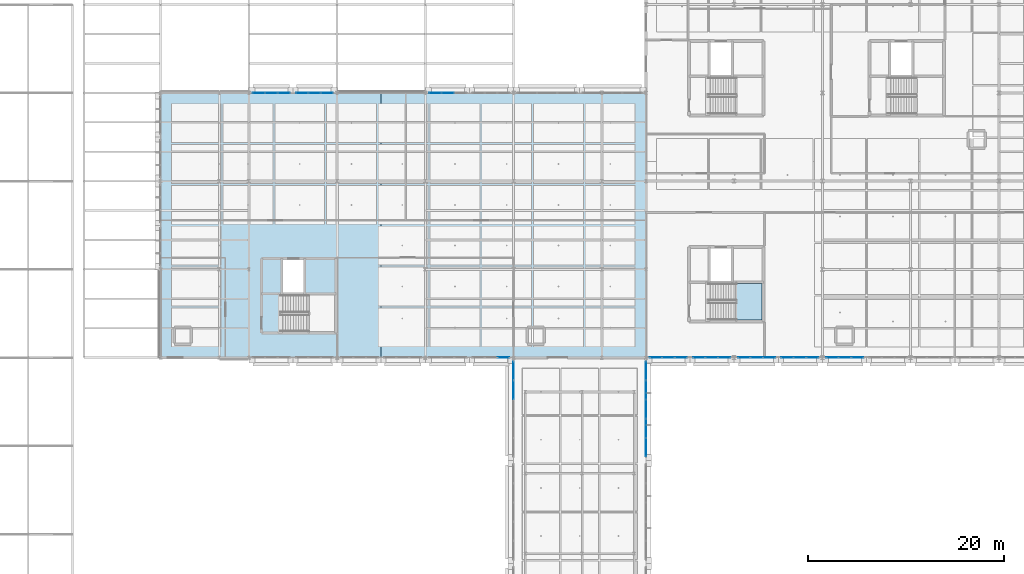
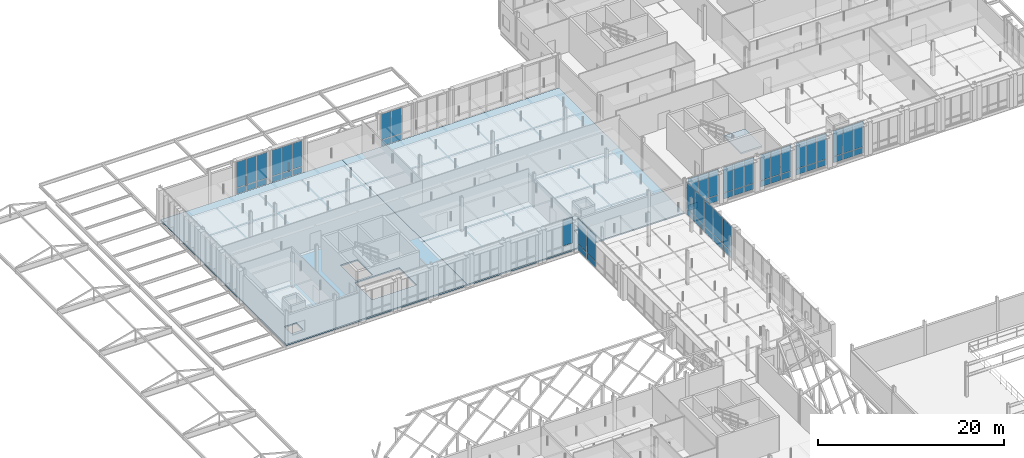
# One storey, part 75 of 140: 61 plates, 3 slabs, 12 elements without a shape of their own.
"""IFC4 building model written with IfcOpenShell, lengths in metres."""

from ifc_helpers import new_model, si_unit, direction, frame, origin, origin_2d, place, context, subcontext, project, spatial, polyline, rectangle, outline, extrude, material, layer, layer_set, type_object, element, aggregate, save


model = new_model("IFC4")

# Units and contexts
model_context = context("Model", 3, precision=1e-05, world=origin(), true_north=direction((0.0, 1.0)))
body_context = subcontext(model_context, "Body", "Model", "MODEL_VIEW")
ifc_project = project(units=[si_unit("LENGTHUNIT", "METRE"), si_unit("AREAUNIT", "SQUARE_METRE"), si_unit("VOLUMEUNIT", "CUBIC_METRE"), si_unit("PLANEANGLEUNIT", "RADIAN"), si_unit("MASSUNIT", "GRAM", prefix="KILO"), si_unit("THERMODYNAMICTEMPERATUREUNIT", "KELVIN"), si_unit("POWERUNIT", "WATT")], contexts=[model_context])

# Site, building, storey
site_placement = place(None, origin())
site = spatial("IfcSite", under=ifc_project, at=site_placement, CompositionType="ELEMENT")
building_placement = place(site_placement, origin())
building = spatial("IfcBuilding", under=site, at=building_placement, Name="Tallowbark Science Centre", CompositionType="ELEMENT")
storey_placement = place(building_placement, frame((0.0, 0.0, 9.89990234375)))
storey = spatial("IfcBuildingStorey", under=building, at=storey_placement, Name="L02", CompositionType="ELEMENT", Elevation=9.89990234375)

# Curtain wall, plates
ifc_material_1 = material(Name="Unitised Thermally Broken Aluminium and Low-E Double Glazing", Category="aluminium")
curtain_wall_type = type_object("IfcCurtainWallType", Name="CW-SYS-FACADE", PredefinedType="NOTDEFINED", material=ifc_material_1)
curtain_wall_1_placement = place(storey_placement, origin())
curtain_wall_1 = element("IfcCurtainWall", 1, at=curtain_wall_1_placement, inside=storey, type_object=curtain_wall_type, Name="Unitised Curtain Wall LNK-W-2 CW-L02-020", PredefinedType="NOTDEFINED")
ifc_material_2 = material(Name="Double Glazed Argon Low-E Vision Glass", Category="glass")
ifc_layer_1 = layer(ifc_material_2, 0.028076171875)
ifc_layer_set_1 = layer_set([ifc_layer_1], Name="Double Glazed Argon Low-E Vision Glass")
plate_type_1 = type_object("IfcPlateType", Name="CWP-GLZ-28", PredefinedType="CURTAIN_PANEL", material=ifc_layer_set_1)
plate_1_placement = place(storey_placement, frame((99.0, 70.65380859375, 0.05517578125), z_axis=(0.0, 0.0, 1.0), x_axis=(0.0, -1.0, 0.0)))
plate_1 = element("IfcPlate", 2, at=plate_1_placement, type_object=plate_type_1, Name="CW-01 panel 1.1", PredefinedType="CURTAIN_PANEL", context=body_context, shape_type="SweptSolid", body=[
    extrude(rectangle(XDim=1.862548828125, YDim=0.028076171875, at=origin_2d()), origin(), (0.0, 0.0, 1.0), 0.767578125),
])
plate_2_placement = place(storey_placement, frame((99.0, 70.65380859375, 0.87744140625), z_axis=(0.0, 0.0, 1.0), x_axis=(0.0, -1.0, 0.0)))
plate_2 = element("IfcPlate", 3, at=plate_2_placement, type_object=plate_type_1, Name="CW-01 panel 1.2", PredefinedType="CURTAIN_PANEL", context=body_context, shape_type="SweptSolid", body=[
    extrude(rectangle(XDim=1.862548828125, YDim=0.028076171875, at=origin_2d()), origin(), (0.0, 0.0, 1.0), 3.387451171875),
])
plate_3_placement = place(storey_placement, frame((99.0, 68.7099609375, 0.05517578125), z_axis=(0.0, 0.0, 1.0), x_axis=(0.0, -1.0, 0.0)))
plate_3 = element("IfcPlate", 4, at=plate_3_placement, type_object=plate_type_1, Name="CW-01 panel 2.1", PredefinedType="CURTAIN_PANEL", context=body_context, shape_type="SweptSolid", body=[
    extrude(rectangle(XDim=1.89501953125, YDim=0.028076171875, at=origin_2d()), origin(), (0.0, 0.0, 1.0), 0.767578125),
])
plate_4_placement = place(storey_placement, frame((99.0, 68.7099609375, 0.87744140625), z_axis=(0.0, 0.0, 1.0), x_axis=(0.0, -1.0, 0.0)))
plate_4 = element("IfcPlate", 5, at=plate_4_placement, type_object=plate_type_1, Name="CW-01 panel 2.2", PredefinedType="CURTAIN_PANEL", context=body_context, shape_type="SweptSolid", body=[
    extrude(rectangle(XDim=1.89501953125, YDim=0.028076171875, at=origin_2d()), origin(), (0.0, 0.0, 1.0), 3.387451171875),
])
aggregate(curtain_wall_1, [plate_1, plate_2, plate_3, plate_4])

# Curtain wall, plate
curtain_wall_2_placement = place(storey_placement, origin())
curtain_wall_2 = element("IfcCurtainWall", 6, at=curtain_wall_2_placement, inside=storey, type_object=curtain_wall_type, Name="Unitised Curtain Wall LAB-S-90B CW-L02-065", PredefinedType="NOTDEFINED")
plate_5_placement = place(storey_placement, frame((97.983642578125, 72.0, 0.87744140625), z_axis=(0.0, 0.0, 1.0), x_axis=(1.0, 0.0, 0.0)))
plate_5 = element("IfcPlate", 7, at=plate_5_placement, type_object=plate_type_1, Name="CW-01 panel 3.2", PredefinedType="CURTAIN_PANEL", context=body_context, shape_type="SweptSolid", body=[
    extrude(rectangle(XDim=1.202392578125, YDim=0.028076171875, at=origin_2d()), origin(), (0.0, 0.0, 1.0), 3.387451171875),
])
aggregate(curtain_wall_2, [plate_5])

# Curtain wall, plates
curtain_wall_3_placement = place(storey_placement, origin())
curtain_wall_3 = element("IfcCurtainWall", 8, at=curtain_wall_3_placement, inside=storey, type_object=curtain_wall_type, Name="Unitised Curtain Wall LAB-N-72A CW-L02-070", PredefinedType="NOTDEFINED")
plate_6_placement = place(storey_placement, frame((79.983642578125, 99.0, 0.05517578125), z_axis=(0.0, 0.0, 1.0), x_axis=(-1.0, 0.0, 0.0)))
plate_6 = element("IfcPlate", 9, at=plate_6_placement, type_object=plate_type_1, Name="CW-01 panel 1.1", PredefinedType="CURTAIN_PANEL", context=body_context, shape_type="SweptSolid", body=[
    extrude(rectangle(XDim=1.202392578125, YDim=0.028076171875, at=origin_2d()), origin(), (0.0, 0.0, 1.0), 0.767578125),
])
plate_7_placement = place(storey_placement, frame((79.983642578125, 99.0, 0.87744140625), z_axis=(0.0, 0.0, 1.0), x_axis=(-1.0, 0.0, 0.0)))
plate_7 = element("IfcPlate", 10, at=plate_7_placement, type_object=plate_type_1, Name="CW-01 panel 1.2", PredefinedType="CURTAIN_PANEL", context=body_context, shape_type="SweptSolid", body=[
    extrude(rectangle(XDim=1.202392578125, YDim=0.028076171875, at=origin_2d()), origin(), (0.0, 0.0, 1.0), 3.387451171875),
])
plate_8_placement = place(storey_placement, frame((78.699951171875, 99.0, 0.05517578125), z_axis=(0.0, 0.0, 1.0), x_axis=(-1.0, 0.0, 0.0)))
plate_8 = element("IfcPlate", 11, at=plate_8_placement, type_object=plate_type_1, Name="CW-01 panel 2.1", PredefinedType="CURTAIN_PANEL", context=body_context, shape_type="SweptSolid", body=[
    extrude(rectangle(XDim=1.235107421875, YDim=0.028076171875, at=origin_2d()), origin(), (0.0, 0.0, 1.0), 0.767578125),
])
plate_9_placement = place(storey_placement, frame((78.699951171875, 99.0, 0.87744140625), z_axis=(0.0, 0.0, 1.0), x_axis=(-1.0, 0.0, 0.0)))
plate_9 = element("IfcPlate", 12, at=plate_9_placement, type_object=plate_type_1, Name="CW-01 panel 2.2", PredefinedType="CURTAIN_PANEL", context=body_context, shape_type="SweptSolid", body=[
    extrude(rectangle(XDim=1.235107421875, YDim=0.028076171875, at=origin_2d()), origin(), (0.0, 0.0, 1.0), 3.387451171875),
])
plate_10_placement = place(storey_placement, frame((77.416259765625, 99.0, 0.05517578125), z_axis=(0.0, 0.0, 1.0), x_axis=(-1.0, 0.0, 0.0)))
plate_10 = element("IfcPlate", 13, at=plate_10_placement, type_object=plate_type_1, Name="CW-01 panel 3.1", PredefinedType="CURTAIN_PANEL", context=body_context, shape_type="SweptSolid", body=[
    extrude(rectangle(XDim=1.202392578125, YDim=0.028076171875, at=origin_2d()), origin(), (0.0, 0.0, 1.0), 0.767578125),
])
plate_11_placement = place(storey_placement, frame((77.416259765625, 99.0, 0.87744140625), z_axis=(0.0, 0.0, 1.0), x_axis=(-1.0, 0.0, 0.0)))
plate_11 = element("IfcPlate", 14, at=plate_11_placement, type_object=plate_type_1, Name="CW-01 panel 3.2", PredefinedType="CURTAIN_PANEL", context=body_context, shape_type="SweptSolid", body=[
    extrude(rectangle(XDim=1.202392578125, YDim=0.028076171875, at=origin_2d()), origin(), (0.0, 0.0, 1.0), 3.387451171875),
])
aggregate(curtain_wall_3, [plate_6, plate_7, plate_8, plate_9, plate_10, plate_11])

curtain_wall_4_placement = place(storey_placement, origin())
curtain_wall_4 = element("IfcCurtainWall", 15, at=curtain_wall_4_placement, inside=storey, type_object=curtain_wall_type, Name="Unitised Curtain Wall LAB-N-72B CW-L02-071", PredefinedType="NOTDEFINED")
plate_12_placement = place(storey_placement, frame((75.583740234375, 99.0, 0.05517578125), z_axis=(0.0, 0.0, 1.0), x_axis=(-1.0, 0.0, 0.0)))
plate_12 = element("IfcPlate", 16, at=plate_12_placement, type_object=plate_type_1, Name="CW-01 panel 1.1", PredefinedType="CURTAIN_PANEL", context=body_context, shape_type="SweptSolid", body=[
    extrude(rectangle(XDim=1.202392578125, YDim=0.028076171875, at=origin_2d()), origin(), (0.0, 0.0, 1.0), 0.767578125),
])
plate_13_placement = place(storey_placement, frame((75.583740234375, 99.0, 0.87744140625), z_axis=(0.0, 0.0, 1.0), x_axis=(-1.0, 0.0, 0.0)))
plate_13 = element("IfcPlate", 17, at=plate_13_placement, type_object=plate_type_1, Name="CW-01 panel 1.2", PredefinedType="CURTAIN_PANEL", context=body_context, shape_type="SweptSolid", body=[
    extrude(rectangle(XDim=1.202392578125, YDim=0.028076171875, at=origin_2d()), origin(), (0.0, 0.0, 1.0), 3.387451171875),
])
plate_14_placement = place(storey_placement, frame((74.300048828125, 99.0, 0.05517578125), z_axis=(0.0, 0.0, 1.0), x_axis=(-1.0, 0.0, 0.0)))
plate_14 = element("IfcPlate", 18, at=plate_14_placement, type_object=plate_type_1, Name="CW-01 panel 2.1", PredefinedType="CURTAIN_PANEL", context=body_context, shape_type="SweptSolid", body=[
    extrude(rectangle(XDim=1.235107421875, YDim=0.028076171875, at=origin_2d()), origin(), (0.0, 0.0, 1.0), 0.767578125),
])
plate_15_placement = place(storey_placement, frame((74.300048828125, 99.0, 0.87744140625), z_axis=(0.0, 0.0, 1.0), x_axis=(-1.0, 0.0, 0.0)))
plate_15 = element("IfcPlate", 19, at=plate_15_placement, type_object=plate_type_1, Name="CW-01 panel 2.2", PredefinedType="CURTAIN_PANEL", context=body_context, shape_type="SweptSolid", body=[
    extrude(rectangle(XDim=1.235107421875, YDim=0.028076171875, at=origin_2d()), origin(), (0.0, 0.0, 1.0), 3.387451171875),
])
plate_16_placement = place(storey_placement, frame((73.016357421875, 99.0, 0.05517578125), z_axis=(0.0, 0.0, 1.0), x_axis=(-1.0, 0.0, 0.0)))
plate_16 = element("IfcPlate", 20, at=plate_16_placement, type_object=plate_type_1, Name="CW-01 panel 3.1", PredefinedType="CURTAIN_PANEL", context=body_context, shape_type="SweptSolid", body=[
    extrude(rectangle(XDim=1.202392578125, YDim=0.028076171875, at=origin_2d()), origin(), (0.0, 0.0, 1.0), 0.767578125),
])
plate_17_placement = place(storey_placement, frame((73.016357421875, 99.0, 0.87744140625), z_axis=(0.0, 0.0, 1.0), x_axis=(-1.0, 0.0, 0.0)))
plate_17 = element("IfcPlate", 21, at=plate_17_placement, type_object=plate_type_1, Name="CW-01 panel 3.2", PredefinedType="CURTAIN_PANEL", context=body_context, shape_type="SweptSolid", body=[
    extrude(rectangle(XDim=1.202392578125, YDim=0.028076171875, at=origin_2d()), origin(), (0.0, 0.0, 1.0), 3.387451171875),
])
aggregate(curtain_wall_4, [plate_12, plate_13, plate_14, plate_15, plate_16, plate_17])

curtain_wall_5_placement = place(storey_placement, origin())
curtain_wall_5 = element("IfcCurtainWall", 22, at=curtain_wall_5_placement, inside=storey, type_object=curtain_wall_type, Name="Unitised Curtain Wall LAB-N-90B CW-L02-073", PredefinedType="NOTDEFINED")
plate_18_placement = place(storey_placement, frame((92.300048828125, 99.0, 0.05517578125), z_axis=(0.0, 0.0, 1.0), x_axis=(-1.0, 0.0, 0.0)))
plate_18 = element("IfcPlate", 23, at=plate_18_placement, type_object=plate_type_1, Name="CW-01 panel 2.1", PredefinedType="CURTAIN_PANEL", context=body_context, shape_type="SweptSolid", body=[
    extrude(rectangle(XDim=1.235107421875, YDim=0.028076171875, at=origin_2d()), origin(), (0.0, 0.0, 1.0), 0.767578125),
])
plate_19_placement = place(storey_placement, frame((92.300048828125, 99.0, 0.87744140625), z_axis=(0.0, 0.0, 1.0), x_axis=(-1.0, 0.0, 0.0)))
plate_19 = element("IfcPlate", 24, at=plate_19_placement, type_object=plate_type_1, Name="CW-01 panel 2.2", PredefinedType="CURTAIN_PANEL", context=body_context, shape_type="SweptSolid", body=[
    extrude(rectangle(XDim=1.235107421875, YDim=0.028076171875, at=origin_2d()), origin(), (0.0, 0.0, 1.0), 3.387451171875),
])
plate_20_placement = place(storey_placement, frame((91.016357421875, 99.0, 0.05517578125), z_axis=(0.0, 0.0, 1.0), x_axis=(-1.0, 0.0, 0.0)))
plate_20 = element("IfcPlate", 25, at=plate_20_placement, type_object=plate_type_1, Name="CW-01 panel 3.1", PredefinedType="CURTAIN_PANEL", context=body_context, shape_type="SweptSolid", body=[
    extrude(rectangle(XDim=1.202392578125, YDim=0.028076171875, at=origin_2d()), origin(), (0.0, 0.0, 1.0), 0.767578125),
])
plate_21_placement = place(storey_placement, frame((91.016357421875, 99.0, 0.87744140625), z_axis=(0.0, 0.0, 1.0), x_axis=(-1.0, 0.0, 0.0)))
plate_21 = element("IfcPlate", 26, at=plate_21_placement, type_object=plate_type_1, Name="CW-01 panel 3.2", PredefinedType="CURTAIN_PANEL", context=body_context, shape_type="SweptSolid", body=[
    extrude(rectangle(XDim=1.202392578125, YDim=0.028076171875, at=origin_2d()), origin(), (0.0, 0.0, 1.0), 3.387451171875),
])
aggregate(curtain_wall_5, [plate_18, plate_19, plate_20, plate_21])

curtain_wall_6_placement = place(storey_placement, origin())
curtain_wall_6 = element("IfcCurtainWall", 27, at=curtain_wall_6_placement, inside=storey, type_object=curtain_wall_type, Name="Unitised Curtain Wall OBS-S-112B CW-L02-139", PredefinedType="NOTDEFINED")
plate_22_placement = place(storey_placement, frame((117.916259765625, 72.0, 0.05517578125), z_axis=(0.0, 0.0, 1.0), x_axis=(1.0, 0.0, 0.0)))
plate_22 = element("IfcPlate", 28, at=plate_22_placement, type_object=plate_type_1, Name="CW-01 panel 1.1", PredefinedType="CURTAIN_PANEL", context=body_context, shape_type="SweptSolid", body=[
    extrude(rectangle(XDim=1.202392578125, YDim=0.028076171875, at=origin_2d()), origin(), (0.0, 0.0, 1.0), 0.767578125),
])
plate_23_placement = place(storey_placement, frame((117.916259765625, 72.0, 0.87744140625), z_axis=(0.0, 0.0, 1.0), x_axis=(1.0, 0.0, 0.0)))
plate_23 = element("IfcPlate", 29, at=plate_23_placement, type_object=plate_type_1, Name="CW-01 panel 1.2", PredefinedType="CURTAIN_PANEL", context=body_context, shape_type="SweptSolid", body=[
    extrude(rectangle(XDim=1.202392578125, YDim=0.028076171875, at=origin_2d()), origin(), (0.0, 0.0, 1.0), 3.387451171875),
])
plate_24_placement = place(storey_placement, frame((119.199951171875, 72.0, 0.05517578125), z_axis=(0.0, 0.0, 1.0), x_axis=(1.0, 0.0, 0.0)))
plate_24 = element("IfcPlate", 30, at=plate_24_placement, type_object=plate_type_1, Name="CW-01 panel 2.1", PredefinedType="CURTAIN_PANEL", context=body_context, shape_type="SweptSolid", body=[
    extrude(rectangle(XDim=1.235107421875, YDim=0.028076171875, at=origin_2d()), origin(), (0.0, 0.0, 1.0), 0.767578125),
])
plate_25_placement = place(storey_placement, frame((119.199951171875, 72.0, 0.87744140625), z_axis=(0.0, 0.0, 1.0), x_axis=(1.0, 0.0, 0.0)))
plate_25 = element("IfcPlate", 31, at=plate_25_placement, type_object=plate_type_1, Name="CW-01 panel 2.2", PredefinedType="CURTAIN_PANEL", context=body_context, shape_type="SweptSolid", body=[
    extrude(rectangle(XDim=1.235107421875, YDim=0.028076171875, at=origin_2d()), origin(), (0.0, 0.0, 1.0), 3.387451171875),
])
plate_26_placement = place(storey_placement, frame((120.483642578125, 72.0, 0.05517578125), z_axis=(0.0, 0.0, 1.0), x_axis=(1.0, 0.0, 0.0)))
plate_26 = element("IfcPlate", 32, at=plate_26_placement, type_object=plate_type_1, Name="CW-01 panel 3.1", PredefinedType="CURTAIN_PANEL", context=body_context, shape_type="SweptSolid", body=[
    extrude(rectangle(XDim=1.202392578125, YDim=0.028076171875, at=origin_2d()), origin(), (0.0, 0.0, 1.0), 0.767578125),
])
plate_27_placement = place(storey_placement, frame((120.483642578125, 72.0, 0.87744140625), z_axis=(0.0, 0.0, 1.0), x_axis=(1.0, 0.0, 0.0)))
plate_27 = element("IfcPlate", 33, at=plate_27_placement, type_object=plate_type_1, Name="CW-01 panel 3.2", PredefinedType="CURTAIN_PANEL", context=body_context, shape_type="SweptSolid", body=[
    extrude(rectangle(XDim=1.202392578125, YDim=0.028076171875, at=origin_2d()), origin(), (0.0, 0.0, 1.0), 3.387451171875),
])
aggregate(curtain_wall_6, [plate_22, plate_23, plate_24, plate_25, plate_26, plate_27])

curtain_wall_7_placement = place(storey_placement, origin())
curtain_wall_7 = element("IfcCurtainWall", 34, at=curtain_wall_7_placement, inside=storey, type_object=curtain_wall_type, Name="Unitised Curtain Wall OBS-S-121A CW-L02-142", PredefinedType="NOTDEFINED")
plate_28_placement = place(storey_placement, frame((122.516357421875, 72.0, 0.05517578125), z_axis=(0.0, 0.0, 1.0), x_axis=(1.0, 0.0, 0.0)))
plate_28 = element("IfcPlate", 35, at=plate_28_placement, type_object=plate_type_1, Name="CW-01 panel 1.1", PredefinedType="CURTAIN_PANEL", context=body_context, shape_type="SweptSolid", body=[
    extrude(rectangle(XDim=1.202392578125, YDim=0.028076171875, at=origin_2d()), origin(), (0.0, 0.0, 1.0), 0.767578125),
])
plate_29_placement = place(storey_placement, frame((122.516357421875, 72.0, 0.87744140625), z_axis=(0.0, 0.0, 1.0), x_axis=(1.0, 0.0, 0.0)))
plate_29 = element("IfcPlate", 36, at=plate_29_placement, type_object=plate_type_1, Name="CW-01 panel 1.2", PredefinedType="CURTAIN_PANEL", context=body_context, shape_type="SweptSolid", body=[
    extrude(rectangle(XDim=1.202392578125, YDim=0.028076171875, at=origin_2d()), origin(), (0.0, 0.0, 1.0), 3.387451171875),
])
plate_30_placement = place(storey_placement, frame((123.800048828125, 72.0, 0.05517578125), z_axis=(0.0, 0.0, 1.0), x_axis=(1.0, 0.0, 0.0)))
plate_30 = element("IfcPlate", 37, at=plate_30_placement, type_object=plate_type_1, Name="CW-01 panel 2.1", PredefinedType="CURTAIN_PANEL", context=body_context, shape_type="SweptSolid", body=[
    extrude(rectangle(XDim=1.235107421875, YDim=0.028076171875, at=origin_2d()), origin(), (0.0, 0.0, 1.0), 0.767578125),
])
plate_31_placement = place(storey_placement, frame((123.800048828125, 72.0, 0.87744140625), z_axis=(0.0, 0.0, 1.0), x_axis=(1.0, 0.0, 0.0)))
plate_31 = element("IfcPlate", 38, at=plate_31_placement, type_object=plate_type_1, Name="CW-01 panel 2.2", PredefinedType="CURTAIN_PANEL", context=body_context, shape_type="SweptSolid", body=[
    extrude(rectangle(XDim=1.235107421875, YDim=0.028076171875, at=origin_2d()), origin(), (0.0, 0.0, 1.0), 3.387451171875),
])
plate_32_placement = place(storey_placement, frame((125.083740234375, 72.0, 0.05517578125), z_axis=(0.0, 0.0, 1.0), x_axis=(1.0, 0.0, 0.0)))
plate_32 = element("IfcPlate", 39, at=plate_32_placement, type_object=plate_type_1, Name="CW-01 panel 3.1", PredefinedType="CURTAIN_PANEL", context=body_context, shape_type="SweptSolid", body=[
    extrude(rectangle(XDim=1.202392578125, YDim=0.028076171875, at=origin_2d()), origin(), (0.0, 0.0, 1.0), 0.767578125),
])
plate_33_placement = place(storey_placement, frame((125.083740234375, 72.0, 0.87744140625), z_axis=(0.0, 0.0, 1.0), x_axis=(1.0, 0.0, 0.0)))
plate_33 = element("IfcPlate", 40, at=plate_33_placement, type_object=plate_type_1, Name="CW-01 panel 3.2", PredefinedType="CURTAIN_PANEL", context=body_context, shape_type="SweptSolid", body=[
    extrude(rectangle(XDim=1.202392578125, YDim=0.028076171875, at=origin_2d()), origin(), (0.0, 0.0, 1.0), 3.387451171875),
])
aggregate(curtain_wall_7, [plate_28, plate_29, plate_30, plate_31, plate_32, plate_33])

curtain_wall_8_placement = place(storey_placement, origin())
curtain_wall_8 = element("IfcCurtainWall", 41, at=curtain_wall_8_placement, inside=storey, type_object=curtain_wall_type, Name="Unitised Curtain Wall OBS-S-121B CW-L02-143", PredefinedType="NOTDEFINED")
plate_34_placement = place(storey_placement, frame((126.916259765625, 72.0, 0.05517578125), z_axis=(0.0, 0.0, 1.0), x_axis=(1.0, 0.0, 0.0)))
plate_34 = element("IfcPlate", 42, at=plate_34_placement, type_object=plate_type_1, Name="CW-01 panel 1.1", PredefinedType="CURTAIN_PANEL", context=body_context, shape_type="SweptSolid", body=[
    extrude(rectangle(XDim=1.202392578125, YDim=0.028076171875, at=origin_2d()), origin(), (0.0, 0.0, 1.0), 0.767578125),
])
plate_35_placement = place(storey_placement, frame((126.916259765625, 72.0, 0.87744140625), z_axis=(0.0, 0.0, 1.0), x_axis=(1.0, 0.0, 0.0)))
plate_35 = element("IfcPlate", 43, at=plate_35_placement, type_object=plate_type_1, Name="CW-01 panel 1.2", PredefinedType="CURTAIN_PANEL", context=body_context, shape_type="SweptSolid", body=[
    extrude(rectangle(XDim=1.202392578125, YDim=0.028076171875, at=origin_2d()), origin(), (0.0, 0.0, 1.0), 3.387451171875),
])
plate_36_placement = place(storey_placement, frame((128.199951171875, 72.0, 0.05517578125), z_axis=(0.0, 0.0, 1.0), x_axis=(1.0, 0.0, 0.0)))
plate_36 = element("IfcPlate", 44, at=plate_36_placement, type_object=plate_type_1, Name="CW-01 panel 2.1", PredefinedType="CURTAIN_PANEL", context=body_context, shape_type="SweptSolid", body=[
    extrude(rectangle(XDim=1.235107421875, YDim=0.028076171875, at=origin_2d()), origin(), (0.0, 0.0, 1.0), 0.767578125),
])
plate_37_placement = place(storey_placement, frame((128.199951171875, 72.0, 0.87744140625), z_axis=(0.0, 0.0, 1.0), x_axis=(1.0, 0.0, 0.0)))
plate_37 = element("IfcPlate", 45, at=plate_37_placement, type_object=plate_type_1, Name="CW-01 panel 2.2", PredefinedType="CURTAIN_PANEL", context=body_context, shape_type="SweptSolid", body=[
    extrude(rectangle(XDim=1.235107421875, YDim=0.028076171875, at=origin_2d()), origin(), (0.0, 0.0, 1.0), 3.387451171875),
])
plate_38_placement = place(storey_placement, frame((129.483642578125, 72.0, 0.05517578125), z_axis=(0.0, 0.0, 1.0), x_axis=(1.0, 0.0, 0.0)))
plate_38 = element("IfcPlate", 46, at=plate_38_placement, type_object=plate_type_1, Name="CW-01 panel 3.1", PredefinedType="CURTAIN_PANEL", context=body_context, shape_type="SweptSolid", body=[
    extrude(rectangle(XDim=1.202392578125, YDim=0.028076171875, at=origin_2d()), origin(), (0.0, 0.0, 1.0), 0.767578125),
])
plate_39_placement = place(storey_placement, frame((129.483642578125, 72.0, 0.87744140625), z_axis=(0.0, 0.0, 1.0), x_axis=(1.0, 0.0, 0.0)))
plate_39 = element("IfcPlate", 47, at=plate_39_placement, type_object=plate_type_1, Name="CW-01 panel 3.2", PredefinedType="CURTAIN_PANEL", context=body_context, shape_type="SweptSolid", body=[
    extrude(rectangle(XDim=1.202392578125, YDim=0.028076171875, at=origin_2d()), origin(), (0.0, 0.0, 1.0), 3.387451171875),
])
aggregate(curtain_wall_8, [plate_34, plate_35, plate_36, plate_37, plate_38, plate_39])

curtain_wall_9_placement = place(storey_placement, origin())
curtain_wall_9 = element("IfcCurtainWall", 48, at=curtain_wall_9_placement, inside=storey, type_object=curtain_wall_type, Name="Unitised Curtain Wall OBS-S-130A CW-L02-146", PredefinedType="NOTDEFINED")
plate_40_placement = place(storey_placement, frame((131.516357421875, 72.0, 0.05517578125), z_axis=(0.0, 0.0, 1.0), x_axis=(1.0, 0.0, 0.0)))
plate_40 = element("IfcPlate", 49, at=plate_40_placement, type_object=plate_type_1, Name="CW-01 panel 1.1", PredefinedType="CURTAIN_PANEL", context=body_context, shape_type="SweptSolid", body=[
    extrude(rectangle(XDim=1.202392578125, YDim=0.028076171875, at=origin_2d()), origin(), (0.0, 0.0, 1.0), 0.767578125),
])
plate_41_placement = place(storey_placement, frame((131.516357421875, 72.0, 0.87744140625), z_axis=(0.0, 0.0, 1.0), x_axis=(1.0, 0.0, 0.0)))
plate_41 = element("IfcPlate", 50, at=plate_41_placement, type_object=plate_type_1, Name="CW-01 panel 1.2", PredefinedType="CURTAIN_PANEL", context=body_context, shape_type="SweptSolid", body=[
    extrude(rectangle(XDim=1.202392578125, YDim=0.028076171875, at=origin_2d()), origin(), (0.0, 0.0, 1.0), 3.387451171875),
])
plate_42_placement = place(storey_placement, frame((132.800048828125, 72.0, 0.05517578125), z_axis=(0.0, 0.0, 1.0), x_axis=(1.0, 0.0, 0.0)))
plate_42 = element("IfcPlate", 51, at=plate_42_placement, type_object=plate_type_1, Name="CW-01 panel 2.1", PredefinedType="CURTAIN_PANEL", context=body_context, shape_type="SweptSolid", body=[
    extrude(rectangle(XDim=1.235107421875, YDim=0.028076171875, at=origin_2d()), origin(), (0.0, 0.0, 1.0), 0.767578125),
])
plate_43_placement = place(storey_placement, frame((132.800048828125, 72.0, 0.87744140625), z_axis=(0.0, 0.0, 1.0), x_axis=(1.0, 0.0, 0.0)))
plate_43 = element("IfcPlate", 52, at=plate_43_placement, type_object=plate_type_1, Name="CW-01 panel 2.2", PredefinedType="CURTAIN_PANEL", context=body_context, shape_type="SweptSolid", body=[
    extrude(rectangle(XDim=1.235107421875, YDim=0.028076171875, at=origin_2d()), origin(), (0.0, 0.0, 1.0), 3.387451171875),
])
plate_44_placement = place(storey_placement, frame((134.083740234375, 72.0, 0.05517578125), z_axis=(0.0, 0.0, 1.0), x_axis=(1.0, 0.0, 0.0)))
plate_44 = element("IfcPlate", 53, at=plate_44_placement, type_object=plate_type_1, Name="CW-01 panel 3.1", PredefinedType="CURTAIN_PANEL", context=body_context, shape_type="SweptSolid", body=[
    extrude(rectangle(XDim=1.202392578125, YDim=0.028076171875, at=origin_2d()), origin(), (0.0, 0.0, 1.0), 0.767578125),
])
plate_45_placement = place(storey_placement, frame((134.083740234375, 72.0, 0.87744140625), z_axis=(0.0, 0.0, 1.0), x_axis=(1.0, 0.0, 0.0)))
plate_45 = element("IfcPlate", 54, at=plate_45_placement, type_object=plate_type_1, Name="CW-01 panel 3.2", PredefinedType="CURTAIN_PANEL", context=body_context, shape_type="SweptSolid", body=[
    extrude(rectangle(XDim=1.202392578125, YDim=0.028076171875, at=origin_2d()), origin(), (0.0, 0.0, 1.0), 3.387451171875),
])
aggregate(curtain_wall_9, [plate_40, plate_41, plate_42, plate_43, plate_44, plate_45])

curtain_wall_10_placement = place(storey_placement, origin())
curtain_wall_10 = element("IfcCurtainWall", 55, at=curtain_wall_10_placement, inside=storey, type_object=curtain_wall_type, Name="Unitised Curtain Wall LNK-E-2 CW-L02-021", PredefinedType="NOTDEFINED")
ifc_material_3 = material(Name="Ceramic-Fritted Insulated Glass Spandrel Panel", Category="glass")
ifc_layer_2 = layer(ifc_material_3, 0.031982421875)
ifc_layer_set_2 = layer_set([ifc_layer_2], Name="Ceramic-Fritted Insulated Glass Spandrel Panel")
plate_type_2 = type_object("IfcPlateType", Name="CWP-SPN-32", PredefinedType="CURTAIN_PANEL", material=ifc_layer_set_2)
plate_46_placement = place(storey_placement, frame((112.5, 62.84619140625, 0.05517578125), z_axis=(0.0, 0.0, 1.0), x_axis=(0.0, 1.0, 0.0)))
plate_46 = element("IfcPlate", 56, at=plate_46_placement, type_object=plate_type_2, Name="CW-01 panel 1.1", PredefinedType="CURTAIN_PANEL", context=body_context, shape_type="SweptSolid", body=[
    extrude(rectangle(XDim=1.862548828125, YDim=0.031982421875, at=origin_2d()), origin(), (0.0, 0.0, 1.0), 0.767578125),
])
plate_47_placement = place(storey_placement, frame((112.5, 62.84619140625, 0.87744140625), z_axis=(0.0, 0.0, 1.0), x_axis=(0.0, 1.0, 0.0)))
plate_47 = element("IfcPlate", 57, at=plate_47_placement, type_object=plate_type_2, Name="CW-01 panel 1.2", PredefinedType="CURTAIN_PANEL", context=body_context, shape_type="SweptSolid", body=[
    extrude(rectangle(XDim=1.862548828125, YDim=0.031982421875, at=origin_2d()), origin(), (0.0, 0.0, 1.0), 3.387451171875),
])
plate_48_placement = place(storey_placement, frame((112.5, 64.7900390625, 0.05517578125), z_axis=(0.0, 0.0, 1.0), x_axis=(0.0, 1.0, 0.0)))
plate_48 = element("IfcPlate", 58, at=plate_48_placement, type_object=plate_type_2, Name="CW-01 panel 2.1", PredefinedType="CURTAIN_PANEL", context=body_context, shape_type="SweptSolid", body=[
    extrude(rectangle(XDim=1.89501953125, YDim=0.031982421875, at=origin_2d()), origin(), (0.0, 0.0, 1.0), 0.767578125),
])
plate_49_placement = place(storey_placement, frame((112.5, 64.7900390625, 0.87744140625), z_axis=(0.0, 0.0, 1.0), x_axis=(0.0, 1.0, 0.0)))
plate_49 = element("IfcPlate", 59, at=plate_49_placement, type_object=plate_type_2, Name="CW-01 panel 2.2", PredefinedType="CURTAIN_PANEL", context=body_context, shape_type="SweptSolid", body=[
    extrude(rectangle(XDim=1.89501953125, YDim=0.031982421875, at=origin_2d()), origin(), (0.0, 0.0, 1.0), 3.387451171875),
])
plate_50_placement = place(storey_placement, frame((112.5, 66.75, 0.05517578125), z_axis=(0.0, 0.0, 1.0), x_axis=(0.0, 1.0, 0.0)))
plate_50 = element("IfcPlate", 60, at=plate_50_placement, type_object=plate_type_2, Name="CW-01 panel 3.1", PredefinedType="CURTAIN_PANEL", context=body_context, shape_type="SweptSolid", body=[
    extrude(rectangle(XDim=1.89501953125, YDim=0.031982421875, at=origin_2d()), origin(), (0.0, 0.0, 1.0), 0.767578125),
])
plate_51_placement = place(storey_placement, frame((112.5, 66.75, 0.87744140625), z_axis=(0.0, 0.0, 1.0), x_axis=(0.0, 1.0, 0.0)))
plate_51 = element("IfcPlate", 61, at=plate_51_placement, type_object=plate_type_2, Name="CW-01 panel 3.2", PredefinedType="CURTAIN_PANEL", context=body_context, shape_type="SweptSolid", body=[
    extrude(rectangle(XDim=1.89501953125, YDim=0.031982421875, at=origin_2d()), origin(), (0.0, 0.0, 1.0), 3.387451171875),
])
plate_52_placement = place(storey_placement, frame((112.5, 68.7099609375, 0.05517578125), z_axis=(0.0, 0.0, 1.0), x_axis=(0.0, 1.0, 0.0)))
plate_52 = element("IfcPlate", 62, at=plate_52_placement, type_object=plate_type_2, Name="CW-01 panel 4.1", PredefinedType="CURTAIN_PANEL", context=body_context, shape_type="SweptSolid", body=[
    extrude(rectangle(XDim=1.89501953125, YDim=0.031982421875, at=origin_2d()), origin(), (0.0, 0.0, 1.0), 0.767578125),
])
plate_53_placement = place(storey_placement, frame((112.5, 68.7099609375, 0.87744140625), z_axis=(0.0, 0.0, 1.0), x_axis=(0.0, 1.0, 0.0)))
plate_53 = element("IfcPlate", 63, at=plate_53_placement, type_object=plate_type_2, Name="CW-01 panel 4.2", PredefinedType="CURTAIN_PANEL", context=body_context, shape_type="SweptSolid", body=[
    extrude(rectangle(XDim=1.89501953125, YDim=0.031982421875, at=origin_2d()), origin(), (0.0, 0.0, 1.0), 3.387451171875),
])
plate_54_placement = place(storey_placement, frame((112.5, 70.65380859375, 0.05517578125), z_axis=(0.0, 0.0, 1.0), x_axis=(0.0, 1.0, 0.0)))
plate_54 = element("IfcPlate", 64, at=plate_54_placement, type_object=plate_type_2, Name="CW-01 panel 5.1", PredefinedType="CURTAIN_PANEL", context=body_context, shape_type="SweptSolid", body=[
    extrude(rectangle(XDim=1.862548828125, YDim=0.031982421875, at=origin_2d()), origin(), (0.0, 0.0, 1.0), 0.767578125),
])
plate_55_placement = place(storey_placement, frame((112.5, 70.65380859375, 0.87744140625), z_axis=(0.0, 0.0, 1.0), x_axis=(0.0, 1.0, 0.0)))
plate_55 = element("IfcPlate", 65, at=plate_55_placement, type_object=plate_type_2, Name="CW-01 panel 5.2", PredefinedType="CURTAIN_PANEL", context=body_context, shape_type="SweptSolid", body=[
    extrude(rectangle(XDim=1.862548828125, YDim=0.031982421875, at=origin_2d()), origin(), (0.0, 0.0, 1.0), 3.387451171875),
])
aggregate(curtain_wall_10, [plate_46, plate_47, plate_48, plate_49, plate_50, plate_51, plate_52, plate_53, plate_54, plate_55])

curtain_wall_11_placement = place(storey_placement, origin())
curtain_wall_11 = element("IfcCurtainWall", 66, at=curtain_wall_11_placement, inside=storey, type_object=curtain_wall_type, Name="Unitised Curtain Wall OBS-S-112A CW-L02-138", PredefinedType="NOTDEFINED")
plate_56_placement = place(storey_placement, frame((113.516357421875, 72.0, 0.05517578125), z_axis=(0.0, 0.0, 1.0), x_axis=(1.0, 0.0, 0.0)))
plate_56 = element("IfcPlate", 67, at=plate_56_placement, type_object=plate_type_2, Name="CW-01 panel 1.1", PredefinedType="CURTAIN_PANEL", context=body_context, shape_type="SweptSolid", body=[
    extrude(rectangle(XDim=1.202392578125, YDim=0.031982421875, at=origin_2d()), origin(), (0.0, 0.0, 1.0), 0.767578125),
])
plate_57_placement = place(storey_placement, frame((113.516357421875, 72.0, 0.87744140625), z_axis=(0.0, 0.0, 1.0), x_axis=(1.0, 0.0, 0.0)))
plate_57 = element("IfcPlate", 68, at=plate_57_placement, type_object=plate_type_2, Name="CW-01 panel 1.2", PredefinedType="CURTAIN_PANEL", context=body_context, shape_type="SweptSolid", body=[
    extrude(rectangle(XDim=1.202392578125, YDim=0.031982421875, at=origin_2d()), origin(), (0.0, 0.0, 1.0), 3.387451171875),
])
plate_58_placement = place(storey_placement, frame((114.800048828125, 72.0, 0.05517578125), z_axis=(0.0, 0.0, 1.0), x_axis=(1.0, 0.0, 0.0)))
plate_58 = element("IfcPlate", 69, at=plate_58_placement, type_object=plate_type_2, Name="CW-01 panel 2.1", PredefinedType="CURTAIN_PANEL", context=body_context, shape_type="SweptSolid", body=[
    extrude(rectangle(XDim=1.235107421875, YDim=0.031982421875, at=origin_2d()), origin(), (0.0, 0.0, 1.0), 0.767578125),
])
plate_59_placement = place(storey_placement, frame((114.800048828125, 72.0, 0.87744140625), z_axis=(0.0, 0.0, 1.0), x_axis=(1.0, 0.0, 0.0)))
plate_59 = element("IfcPlate", 70, at=plate_59_placement, type_object=plate_type_2, Name="CW-01 panel 2.2", PredefinedType="CURTAIN_PANEL", context=body_context, shape_type="SweptSolid", body=[
    extrude(rectangle(XDim=1.235107421875, YDim=0.031982421875, at=origin_2d()), origin(), (0.0, 0.0, 1.0), 3.387451171875),
])
plate_60_placement = place(storey_placement, frame((116.083740234375, 72.0, 0.05517578125), z_axis=(0.0, 0.0, 1.0), x_axis=(1.0, 0.0, 0.0)))
plate_60 = element("IfcPlate", 71, at=plate_60_placement, type_object=plate_type_2, Name="CW-01 panel 3.1", PredefinedType="CURTAIN_PANEL", context=body_context, shape_type="SweptSolid", body=[
    extrude(rectangle(XDim=1.202392578125, YDim=0.031982421875, at=origin_2d()), origin(), (0.0, 0.0, 1.0), 0.767578125),
])
plate_61_placement = place(storey_placement, frame((116.083740234375, 72.0, 0.87744140625), z_axis=(0.0, 0.0, 1.0), x_axis=(1.0, 0.0, 0.0)))
plate_61 = element("IfcPlate", 72, at=plate_61_placement, type_object=plate_type_2, Name="CW-01 panel 3.2", PredefinedType="CURTAIN_PANEL", context=body_context, shape_type="SweptSolid", body=[
    extrude(rectangle(XDim=1.202392578125, YDim=0.031982421875, at=origin_2d()), origin(), (0.0, 0.0, 1.0), 3.387451171875),
])
aggregate(curtain_wall_11, [plate_56, plate_57, plate_58, plate_59, plate_60, plate_61])

# Slabs
ifc_material_4 = material(Name="Concrete Grade N40 (40 MPa)", Category="concrete")
ifc_layer_3 = layer(ifc_material_4, 0.179931640625)
ifc_layer_set_3 = layer_set([ifc_layer_3], Name="Concrete Grade N40 (40 MPa)")
slab_type_1 = type_object("IfcSlabType", Name="SLB-FLR-180", PredefinedType="FLOOR", material=ifc_layer_set_3)
slab_1_placement = place(storey_placement, frame((0.0, 0.0, -0.179931640625)))
element("IfcSlab", 73, at=slab_1_placement, inside=storey, type_object=slab_type_1, Name="Laboratories West Slab L02 SLB-LAB-W-L02", PredefinedType="FLOOR", context=body_context, shape_type="SweptSolid", body=[
    extrude(outline(polyline([(63.0, 72.0), (85.5, 72.0), (85.5, 99.0), (63.0, 99.0), (63.0, 72.0)]), holes=[polyline([(75.2099609375, 74.64990234375), (80.75, 74.64990234375), (80.75, 78.3701171875), (75.2099609375, 78.3701171875), (75.2099609375, 74.64990234375)]), polyline([(75.5, 78.6201171875), (77.60009765625, 78.6201171875), (77.60009765625, 81.949951171875), (75.5, 81.949951171875), (75.5, 78.6201171875)]), polyline([(64.5, 73.5), (66.0, 73.5), (66.0, 75.0), (64.5, 75.0), (64.5, 73.5)])]), origin(), (0.0, 0.0, 1.0), 0.179931640625),
])
slab_2_placement = place(storey_placement, frame((0.0, 0.0, -0.179931640625)))
element("IfcSlab", 74, at=slab_2_placement, inside=storey, type_object=slab_type_1, Name="Laboratories East Slab L02 SLB-LAB-E-L02", PredefinedType="FLOOR", context=body_context, shape_type="SweptSolid", body=[
    extrude(outline(polyline([(85.5, 72.0), (112.47509765625, 72.0), (112.47509765625, 99.0), (85.5, 99.0), (85.5, 72.0)]), holes=[polyline([(100.5, 73.5), (102.0, 73.5), (102.0, 75.0), (100.5, 75.0), (100.5, 73.5)])]), origin(), (0.0, 0.0, 1.0), 0.179931640625),
])

# Stair, slab
stair_type = type_object("IfcStairType", Name="STR-C2", PredefinedType="HALF_TURN_STAIR", material=ifc_material_4)
stair_placement = place(storey_placement, origin())
stair = element("IfcStair", 75, at=stair_placement, inside=storey, type_object=stair_type, Name="L02 Fire Stair ST-02", PredefinedType="HALF_TURN_STAIR")
ifc_layer_4 = layer(ifc_material_4, 0.199951171875)
ifc_layer_set_4 = layer_set([ifc_layer_4], Name="Concrete Grade N40 (40 MPa)")
slab_type_2 = type_object("IfcSlabType", Name="SLB-LND-200", PredefinedType="LANDING", material=ifc_layer_set_4)
slab_3_placement = place(storey_placement, frame((0.0, 0.0, 2.050048828125)))
slab_3 = element("IfcSlab", 76, at=slab_3_placement, type_object=slab_type_2, Name="ST-02 landing 1", PredefinedType="LANDING", context=body_context, shape_type="SweptSolid", body=[
    extrude(outline(polyline([(121.72509765625, 75.85009765625), (124.35009765625, 75.85009765625), (124.35009765625, 79.570068359375), (121.72509765625, 79.570068359375), (121.72509765625, 75.85009765625)])), origin(), (0.0, 0.0, 1.0), 0.199951171875),
])
aggregate(stair, [slab_3])

save(model, "model.ifc")
